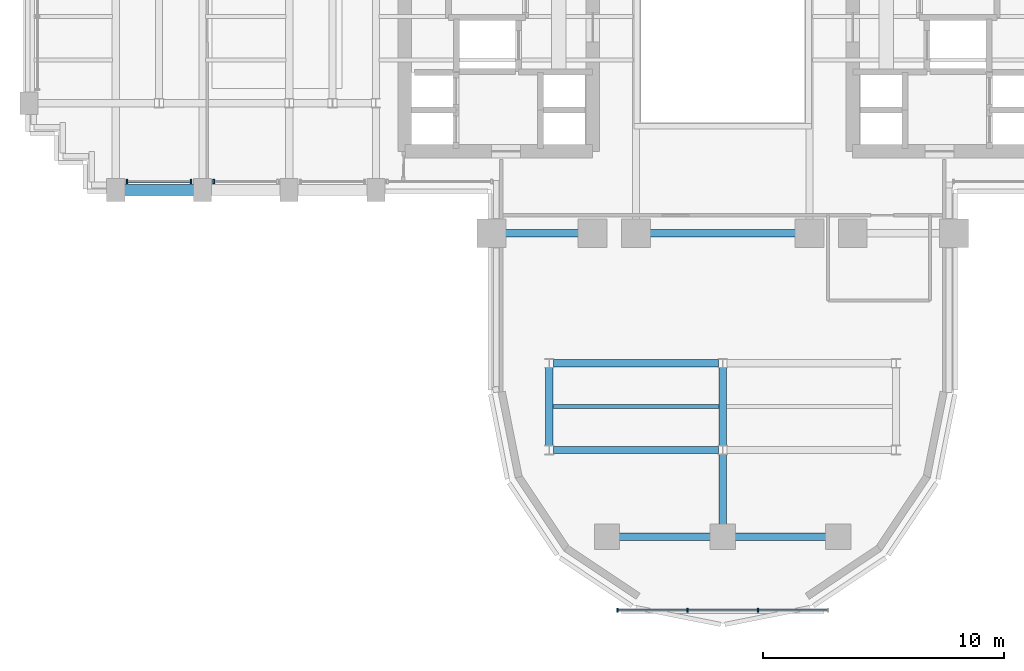
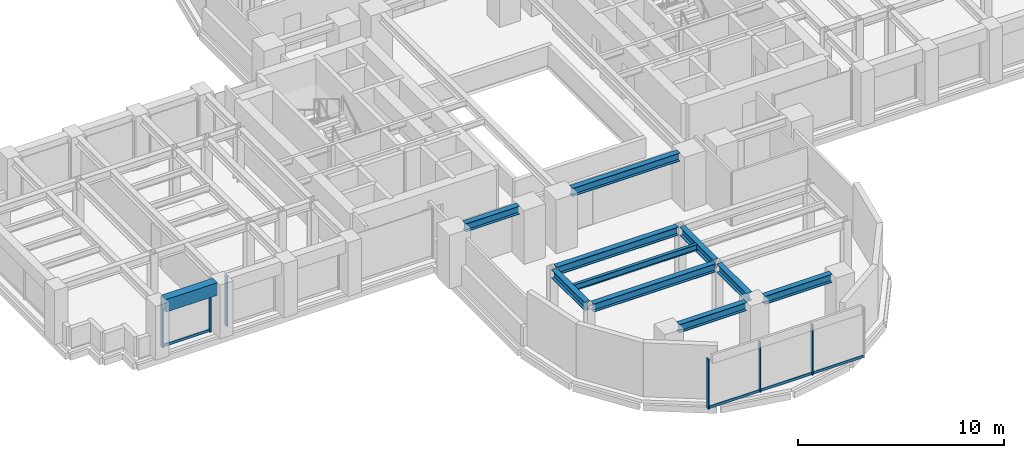
# One storey, part 3 of 16: 11 beams, 10 members, 3 elements without a shape of their own.
"""IFC4 building model written with IfcOpenShell, lengths in metres."""

from ifc_helpers import new_model, si_unit, direction, frame, origin, origin_2d, place, context, subcontext, project, spatial, rectangle, i_section, extrude, source, transform, mapped, material, material_profile, profile_set, type_object, element, aggregate, save


model = new_model("IFC4")

# Units and contexts
model_context = context("Model", 3, precision=1e-05, world=origin(), true_north=direction((0.0, 1.0)))
body_context = subcontext(model_context, "Body", "Model", "MODEL_VIEW")
ifc_project = project(units=[si_unit("LENGTHUNIT", "METRE"), si_unit("AREAUNIT", "SQUARE_METRE"), si_unit("VOLUMEUNIT", "CUBIC_METRE"), si_unit("PLANEANGLEUNIT", "RADIAN"), si_unit("MASSUNIT", "GRAM", prefix="KILO")], contexts=[model_context])

# Site, building, storey
site_placement = place(None, origin())
site = spatial("IfcSite", under=ifc_project, at=site_placement, CompositionType="ELEMENT")
building_placement = place(site_placement, origin())
building = spatial("IfcBuilding", under=site, at=building_placement, Name="Keilestroom Media Tower", CompositionType="ELEMENT")
storey_placement = place(building_placement, frame((0.0, 0.0, 61.199951171875)))
storey = spatial("IfcBuildingStorey", under=building, at=storey_placement, Name="L15", CompositionType="ELEMENT", Elevation=61.199951171875)

# Beams
ifc_material_1 = material(Name="Precast concrete C40/50", Category="concrete")
ifc_material_profile_1 = material_profile(ifc_material_1, rectangle(XDim=0.449951171875, YDim=0.75, at=origin_2d()), Name="PC 450x750")
ifc_profile_set_1 = profile_set([ifc_material_profile_1], Name="Precast concrete C40/50")
beam_type_1 = type_object("IfcBeamType", Name="Perimeter-Spandrel-Beam-PC-450x750", PredefinedType="SPANDREL", material=ifc_profile_set_1)
shared_shape_1 = source(origin(), body_context, "Body", "SweptSolid", [
    extrude(rectangle(XDim=0.449951171875, YDim=0.75, at=origin_2d()), origin(), (0.0, 0.0, 1.0), 2.889892578125),
])
beam_1_placement = place(storey_placement, frame((-24.844970703125, -7.199951171875, 2.824951171875), z_axis=(1.0, 0.0, 0.0), x_axis=(0.0, 1.0, 0.0)))
element("IfcBeam", 1, at=beam_1_placement, inside=storey, type_object=beam_type_1, Name="L15 Beam SPB-1 BM-L15-EW-012", PredefinedType="SPANDREL", context=body_context, shape_type="MappedRepresentation", body=[
    mapped(shared_shape_1, transform((0.0, 0.0, 0.0), x_axis=(1.0, 0.0, 0.0), y_axis=(0.0, 1.0, 0.0), z_axis=(0.0, 0.0, 1.0), scale=1.0)),
])
ifc_material_2 = material(Name="Steel S355", Category="steel")
ifc_material_profile_2 = material_profile(ifc_material_2, i_section(OverallWidth=0.300048828125, OverallDepth=0.5, WebThickness=0.012451171875, FlangeThickness=0.028076171875, at=origin_2d()), Name="HEB 500")
ifc_profile_set_2 = profile_set([ifc_material_profile_2], Name="Steel S355")
beam_type_2 = type_object("IfcBeamType", Name="Primary-Structural-Girder-HEB-500", PredefinedType="BEAM", material=ifc_profile_set_2)
shared_shape_2 = source(origin(), body_context, "Body", "SweptSolid", [
    extrude(i_section(OverallWidth=0.300048828125, OverallDepth=0.5, WebThickness=0.012451171875, FlangeThickness=0.028076171875, at=origin_2d()), origin(), (0.0, 0.0, 1.0), 3.23291015625),
])
for number, where, z_axis, x_axis, name in (
    (2, (-7.199951171875, -17.81640625, 2.949951171875), (0.0, 1.0, 0.0), (-1.0, 0.0, 0.0), "L15 Beam BG-6 BM-L15-NS-063"),
    (3, (0.0, -17.81640625, 2.949951171875), (0.0, 1.0, 0.0), (-1.0, 0.0, 0.0), "L15 Beam BG-6 BM-L15-NS-068"),
):
    element("IfcBeam", number, at=place(storey_placement, frame(where, z_axis=z_axis, x_axis=x_axis)), inside=storey, type_object=beam_type_2, Name=name, PredefinedType="BEAM", context=body_context, shape_type="MappedRepresentation", body=[
        mapped(shared_shape_2, transform((0.0, 0.0, 0.0), x_axis=(1.0, 0.0, 0.0), y_axis=(0.0, 1.0, 0.0), z_axis=(0.0, 0.0, 1.0), scale=1.0)),
    ])
shared_shape_3 = source(origin(), body_context, "Body", "SweptSolid", [
    extrude(i_section(OverallWidth=0.300048828125, OverallDepth=0.5, WebThickness=0.012451171875, FlangeThickness=0.028076171875, at=origin_2d()), origin(), (0.0, 0.0, 1.0), 2.911376953125),
])
beam_2_placement = place(storey_placement, frame((0.0, -21.094970703125, 2.949951171875), z_axis=(0.0, 1.0, 0.0), x_axis=(-1.0, 0.0, 0.0)))
element("IfcBeam", 4, at=beam_2_placement, inside=storey, type_object=beam_type_2, Name="L15 Beam BG-6 BM-L15-NS-067", PredefinedType="BEAM", context=body_context, shape_type="MappedRepresentation", body=[
    mapped(shared_shape_3, transform((0.0, 0.0, 0.0), x_axis=(1.0, 0.0, 0.0), y_axis=(0.0, 1.0, 0.0), z_axis=(0.0, 0.0, 1.0), scale=1.0)),
])
ifc_material_profile_3 = material_profile(ifc_material_2, i_section(OverallWidth=0.300048828125, OverallDepth=0.489990234375, WebThickness=0.011962890625, FlangeThickness=0.02294921875, at=origin_2d()), Name="HEA 500")
ifc_profile_set_3 = profile_set([ifc_material_profile_3], Name="Steel S355")
beam_type_3 = type_object("IfcBeamType", Name="Primary-Structural-Girder-HEA-500", PredefinedType="BEAM", material=ifc_profile_set_3)
shared_shape_4 = source(origin(), body_context, "Body", "SweptSolid", [
    extrude(i_section(OverallWidth=0.300048828125, OverallDepth=0.489990234375, WebThickness=0.011962890625, FlangeThickness=0.02294921875, at=origin_2d()), origin(), (0.0, 0.0, 1.0), 3.7900390625),
])
for number, where, z_axis, x_axis, name in (
    (5, (-4.294921875, -21.60009765625, 2.955078125), (1.0, 0.0, 0.0), (0.0, 1.0, 0.0), "L15 Beam BG-10 BM-L15-EW-001"),
    (6, (0.5048828125, -21.60009765625, 2.955078125), (1.0, 0.0, 0.0), (0.0, 1.0, 0.0), "L15 Beam BG-10 BM-L15-EW-002"),
):
    element("IfcBeam", number, at=place(storey_placement, frame(where, z_axis=z_axis, x_axis=x_axis)), inside=storey, type_object=beam_type_3, Name=name, PredefinedType="BEAM", context=body_context, shape_type="MappedRepresentation", body=[
        mapped(shared_shape_4, transform((0.0, 0.0, 0.0), x_axis=(1.0, 0.0, 0.0), y_axis=(0.0, 1.0, 0.0), z_axis=(0.0, 0.0, 1.0), scale=1.0)),
    ])
shared_shape_5 = source(origin(), body_context, "Body", "SweptSolid", [
    extrude(i_section(OverallWidth=0.300048828125, OverallDepth=0.489990234375, WebThickness=0.011962890625, FlangeThickness=0.02294921875, at=origin_2d()), origin(), (0.0, 0.0, 1.0), 6.836181640625),
])
for number, where, z_axis, x_axis, name in (
    (7, (-7.01806640625, -18.0, 2.955078125), (1.0, 0.0, 0.0), (0.0, 1.0, 0.0), "L15 Beam BG-10 BM-L15-EW-003"),
    (8, (-7.01806640625, -14.39990234375, 2.955078125), (1.0, 0.0, 0.0), (0.0, 1.0, 0.0), "L15 Beam BG-10 BM-L15-EW-005"),
):
    element("IfcBeam", number, at=place(storey_placement, frame(where, z_axis=z_axis, x_axis=x_axis)), inside=storey, type_object=beam_type_3, Name=name, PredefinedType="BEAM", context=body_context, shape_type="MappedRepresentation", body=[
        mapped(shared_shape_5, transform((0.0, 0.0, 0.0), x_axis=(1.0, 0.0, 0.0), y_axis=(0.0, 1.0, 0.0), z_axis=(0.0, 0.0, 1.0), scale=1.0)),
    ])
shared_shape_6 = source(origin(), body_context, "Body", "SweptSolid", [
    extrude(i_section(OverallWidth=0.300048828125, OverallDepth=0.489990234375, WebThickness=0.011962890625, FlangeThickness=0.02294921875, at=origin_2d()), origin(), (0.0, 0.0, 1.0), 3.0400390625),
])
beam_3_placement = place(storey_placement, frame((-9.02001953125, -9.0, 2.955078125), z_axis=(1.0, 0.0, 0.0), x_axis=(0.0, 1.0, 0.0)))
element("IfcBeam", 9, at=beam_3_placement, inside=storey, type_object=beam_type_3, Name="L15 Beam BG-10 BM-L15-EW-007", PredefinedType="BEAM", context=body_context, shape_type="MappedRepresentation", body=[
    mapped(shared_shape_6, transform((0.0, 0.0, 0.0), x_axis=(1.0, 0.0, 0.0), y_axis=(0.0, 1.0, 0.0), z_axis=(0.0, 0.0, 1.0), scale=1.0)),
])
shared_shape_7 = source(origin(), body_context, "Body", "SweptSolid", [
    extrude(i_section(OverallWidth=0.300048828125, OverallDepth=0.489990234375, WebThickness=0.011962890625, FlangeThickness=0.02294921875, at=origin_2d()), origin(), (0.0, 0.0, 1.0), 6.0400390625),
])
beam_4_placement = place(storey_placement, frame((-3.02001953125, -9.0, 2.955078125), z_axis=(1.0, 0.0, 0.0), x_axis=(0.0, 1.0, 0.0)))
element("IfcBeam", 10, at=beam_4_placement, inside=storey, type_object=beam_type_3, Name="L15 Beam BG-10 BM-L15-EW-009", PredefinedType="BEAM", context=body_context, shape_type="MappedRepresentation", body=[
    mapped(shared_shape_7, transform((0.0, 0.0, 0.0), x_axis=(1.0, 0.0, 0.0), y_axis=(0.0, 1.0, 0.0), z_axis=(0.0, 0.0, 1.0), scale=1.0)),
])
ifc_material_profile_4 = material_profile(ifc_material_2, i_section(OverallWidth=0.169921875, OverallDepth=0.360107421875, WebThickness=0.008056640625, FlangeThickness=0.0126953125, at=origin_2d()), Name="IPE 360")
ifc_profile_set_4 = profile_set([ifc_material_profile_4], Name="Steel S355")
beam_type_4 = type_object("IfcBeamType", Name="Secondary-Floor-Joist-IPE-360", PredefinedType="JOIST", material=ifc_profile_set_4)
shared_shape_8 = source(origin(), body_context, "Body", "SweptSolid", [
    extrude(i_section(OverallWidth=0.169921875, OverallDepth=0.360107421875, WebThickness=0.008056640625, FlangeThickness=0.0126953125, at=origin_2d()), origin(), (0.0, 0.0, 1.0), 6.940185546875),
])
beam_5_placement = place(storey_placement, frame((-7.070068359375, -16.199951171875, 3.02001953125), z_axis=(1.0, 0.0, 0.0), x_axis=(0.0, 1.0, 0.0)))
element("IfcBeam", 11, at=beam_5_placement, inside=storey, type_object=beam_type_4, Name="L15 Beam BJ-5 JST-L15-087", PredefinedType="JOIST", context=body_context, shape_type="MappedRepresentation", body=[
    mapped(shared_shape_8, transform((0.0, 0.0, 0.0), x_axis=(1.0, 0.0, 0.0), y_axis=(0.0, 1.0, 0.0), z_axis=(0.0, 0.0, 1.0), scale=1.0)),
])

# Curtain wall, members
ifc_material_3 = material(Name="Anodised Aluminium Alloy", Category="aluminium")
curtain_wall_type_1 = type_object("IfcCurtainWallType", Name="Unitised-Curtain-Wall-CW-1", PredefinedType="NOTDEFINED", material=ifc_material_3)
curtain_wall_1_placement = place(storey_placement, origin())
curtain_wall_1 = element("IfcCurtainWall", 12, at=curtain_wall_1_placement, inside=storey, type_object=curtain_wall_type_1, Name="L15 Curtain Wall CW-1 CW-L15-SW-1", PredefinedType="NOTDEFINED")
ifc_material_profile_5 = material_profile(ifc_material_3, rectangle(XDim=0.070068359375, YDim=0.199951171875, at=origin_2d()), Name="ALU MULLION 70x200")
ifc_profile_set_5 = profile_set([ifc_material_profile_5], Name="Anodised Aluminium Alloy")
member_type_1 = type_object("IfcMemberType", Name="Curtain-Wall-Mullion-CW-1", PredefinedType="MULLION", material=ifc_profile_set_5)
shared_shape_9 = source(origin(), body_context, "Body", "SweptSolid", [
    extrude(rectangle(XDim=0.070068359375, YDim=0.199951171875, at=origin_2d()), origin(), (0.0, 0.0, 1.0), 2.97998046875),
])
member_1_placement = place(storey_placement, frame((-24.72998046875, -6.85009765625, 0.0), z_axis=(0.0, 0.0, 1.0), x_axis=(1.0, 0.0, 0.0)))
member_1 = element("IfcMember", 13, at=member_1_placement, type_object=member_type_1, Name="CW-1 Mullion 00", PredefinedType="MULLION", context=body_context, shape_type="MappedRepresentation", body=[
    mapped(shared_shape_9, transform((0.0, 0.0, 0.0), x_axis=(1.0, 0.0, 0.0), y_axis=(0.0, 1.0, 0.0), z_axis=(0.0, 0.0, 1.0), scale=1.0)),
])
member_2_placement = place(storey_placement, frame((-22.070068359375, -6.85009765625, 0.0), z_axis=(0.0, 0.0, 1.0), x_axis=(1.0, 0.0, 0.0)))
member_2 = element("IfcMember", 14, at=member_2_placement, type_object=member_type_1, Name="CW-1 Mullion 01", PredefinedType="MULLION", context=body_context, shape_type="MappedRepresentation", body=[
    mapped(shared_shape_9, transform((0.0, 0.0, 0.0), x_axis=(1.0, 0.0, 0.0), y_axis=(0.0, 1.0, 0.0), z_axis=(0.0, 0.0, 1.0), scale=1.0)),
])

# Curtain wall, member
curtain_wall_2_placement = place(storey_placement, origin())
curtain_wall_2 = element("IfcCurtainWall", 15, at=curtain_wall_2_placement, inside=storey, type_object=curtain_wall_type_1, Name="L15 Curtain Wall CW-1 CW-L15-SW-2", PredefinedType="NOTDEFINED")
member_3_placement = place(storey_placement, frame((-21.1298828125, -6.85009765625, 0.0), z_axis=(0.0, 0.0, 1.0), x_axis=(1.0, 0.0, 0.0)))
member_3 = element("IfcMember", 16, at=member_3_placement, type_object=member_type_1, Name="CW-1 Mullion 00", PredefinedType="MULLION", context=body_context, shape_type="MappedRepresentation", body=[
    mapped(shared_shape_9, transform((0.0, 0.0, 0.0), x_axis=(1.0, 0.0, 0.0), y_axis=(0.0, 1.0, 0.0), z_axis=(0.0, 0.0, 1.0), scale=1.0)),
])
aggregate(curtain_wall_2, [member_3])

# Member
ifc_material_profile_6 = material_profile(ifc_material_3, rectangle(XDim=0.06494140625, YDim=0.14990234375, at=origin_2d()), Name="ALU TRANSOM 65x150")
ifc_profile_set_6 = profile_set([ifc_material_profile_6], Name="Anodised Aluminium Alloy")
member_type_2 = type_object("IfcMemberType", Name="Curtain-Wall-Transom-CW-1", PredefinedType="USERDEFINED", material=ifc_profile_set_6)
shared_shape_10 = source(origin(), body_context, "Body", "SweptSolid", [
    extrude(rectangle(XDim=0.06494140625, YDim=0.14990234375, at=origin_2d()), origin(), (0.0, 0.0, 1.0), 2.593994140625),
])
member_4_placement = place(storey_placement, frame((-24.697021484375, -6.85009765625, 0.074951171875), z_axis=(1.0, 0.0, 0.0), x_axis=(0.0, 1.0, 0.0)))
member_4 = element("IfcMember", 17, at=member_4_placement, type_object=member_type_2, Name="CW-1 Transom 00.1", ObjectType="TRANSOM", PredefinedType="USERDEFINED", context=body_context, shape_type="MappedRepresentation", body=[
    mapped(shared_shape_10, transform((0.0, 0.0, 0.0), x_axis=(1.0, 0.0, 0.0), y_axis=(0.0, 1.0, 0.0), z_axis=(0.0, 0.0, 1.0), scale=1.0)),
])

aggregate(curtain_wall_1, [member_1, member_2, member_4])

# Curtain wall, members
curtain_wall_type_2 = type_object("IfcCurtainWallType", Name="Unitised-Curtain-Wall-CW-6", PredefinedType="NOTDEFINED", material=ifc_material_3)
curtain_wall_3_placement = place(storey_placement, origin())
curtain_wall_3 = element("IfcCurtainWall", 18, at=curtain_wall_3_placement, inside=storey, type_object=curtain_wall_type_2, Name="L15 Curtain Wall CW-6 CW-L15-LS-1", PredefinedType="NOTDEFINED")
ifc_material_profile_7 = material_profile(ifc_material_3, rectangle(XDim=0.06494140625, YDim=0.179931640625, at=origin_2d()), Name="ALU MULLION 65x180")
ifc_profile_set_7 = profile_set([ifc_material_profile_7], Name="Anodised Aluminium Alloy")
member_type_3 = type_object("IfcMemberType", Name="Curtain-Wall-Mullion-CW-6", PredefinedType="MULLION", material=ifc_profile_set_7)
shared_shape_11 = source(origin(), body_context, "Body", "SweptSolid", [
    extrude(rectangle(XDim=0.06494140625, YDim=0.179931640625, at=origin_2d()), origin(), (0.0, 0.0, 1.0), 2.97998046875),
])
member_5_placement = place(storey_placement, frame((-4.367431640625, -24.64990234375, 0.0), z_axis=(0.0, 0.0, 1.0), x_axis=(1.0, 0.0, 0.0)))
member_5 = element("IfcMember", 19, at=member_5_placement, type_object=member_type_3, Name="CW-6 Mullion 00", PredefinedType="MULLION", context=body_context, shape_type="MappedRepresentation", body=[
    mapped(shared_shape_11, transform((0.0, 0.0, 0.0), x_axis=(1.0, 0.0, 0.0), y_axis=(0.0, 1.0, 0.0), z_axis=(0.0, 0.0, 1.0), scale=1.0)),
])
member_6_placement = place(storey_placement, frame((-1.466796875, -24.64990234375, 0.0), z_axis=(0.0, 0.0, 1.0), x_axis=(1.0, 0.0, 0.0)))
member_6 = element("IfcMember", 20, at=member_6_placement, type_object=member_type_3, Name="CW-6 Mullion 01", PredefinedType="MULLION", context=body_context, shape_type="MappedRepresentation", body=[
    mapped(shared_shape_11, transform((0.0, 0.0, 0.0), x_axis=(1.0, 0.0, 0.0), y_axis=(0.0, 1.0, 0.0), z_axis=(0.0, 0.0, 1.0), scale=1.0)),
])
member_7_placement = place(storey_placement, frame((1.466796875, -24.64990234375, 0.0), z_axis=(0.0, 0.0, 1.0), x_axis=(1.0, 0.0, 0.0)))
member_7 = element("IfcMember", 21, at=member_7_placement, type_object=member_type_3, Name="CW-6 Mullion 02", PredefinedType="MULLION", context=body_context, shape_type="MappedRepresentation", body=[
    mapped(shared_shape_11, transform((0.0, 0.0, 0.0), x_axis=(1.0, 0.0, 0.0), y_axis=(0.0, 1.0, 0.0), z_axis=(0.0, 0.0, 1.0), scale=1.0)),
])
ifc_material_profile_8 = material_profile(ifc_material_3, rectangle(XDim=0.06494140625, YDim=0.14990234375, at=origin_2d()), Name="ALU TRANSOM 65x150")
ifc_profile_set_8 = profile_set([ifc_material_profile_8], Name="Anodised Aluminium Alloy")
member_type_4 = type_object("IfcMemberType", Name="Curtain-Wall-Transom-CW-6", PredefinedType="USERDEFINED", material=ifc_profile_set_8)
shared_shape_12 = source(origin(), body_context, "Body", "SweptSolid", [
    extrude(rectangle(XDim=0.06494140625, YDim=0.14990234375, at=origin_2d()), origin(), (0.0, 0.0, 1.0), 2.839599609375),
])
member_8_placement = place(storey_placement, frame((-4.3369140625, -24.64990234375, 0.074951171875), z_axis=(1.0, 0.0, 0.0), x_axis=(0.0, 1.0, 0.0)))
member_8 = element("IfcMember", 22, at=member_8_placement, type_object=member_type_4, Name="CW-6 Transom 00.1", ObjectType="TRANSOM", PredefinedType="USERDEFINED", context=body_context, shape_type="MappedRepresentation", body=[
    mapped(shared_shape_12, transform((0.0, 0.0, 0.0), x_axis=(1.0, 0.0, 0.0), y_axis=(0.0, 1.0, 0.0), z_axis=(0.0, 0.0, 1.0), scale=1.0)),
])
member_9_placement = place(storey_placement, frame((1.497314453125, -24.64990234375, 0.074951171875), z_axis=(1.0, 0.0, 0.0), x_axis=(0.0, 1.0, 0.0)))
member_9 = element("IfcMember", 23, at=member_9_placement, type_object=member_type_4, Name="CW-6 Transom 02.1", ObjectType="TRANSOM", PredefinedType="USERDEFINED", context=body_context, shape_type="MappedRepresentation", body=[
    mapped(shared_shape_12, transform((0.0, 0.0, 0.0), x_axis=(1.0, 0.0, 0.0), y_axis=(0.0, 1.0, 0.0), z_axis=(0.0, 0.0, 1.0), scale=1.0)),
])
shared_shape_13 = source(origin(), body_context, "Body", "SweptSolid", [
    extrude(rectangle(XDim=0.06494140625, YDim=0.14990234375, at=origin_2d()), origin(), (0.0, 0.0, 1.0), 2.87255859375),
])
member_10_placement = place(storey_placement, frame((-1.436279296875, -24.64990234375, 0.074951171875), z_axis=(1.0, 0.0, 0.0), x_axis=(0.0, 1.0, 0.0)))
member_10 = element("IfcMember", 24, at=member_10_placement, type_object=member_type_4, Name="CW-6 Transom 01.1", ObjectType="TRANSOM", PredefinedType="USERDEFINED", context=body_context, shape_type="MappedRepresentation", body=[
    mapped(shared_shape_13, transform((0.0, 0.0, 0.0), x_axis=(1.0, 0.0, 0.0), y_axis=(0.0, 1.0, 0.0), z_axis=(0.0, 0.0, 1.0), scale=1.0)),
])
aggregate(curtain_wall_3, [member_5, member_6, member_7, member_8, member_10, member_9])

save(model, "model.ifc")
